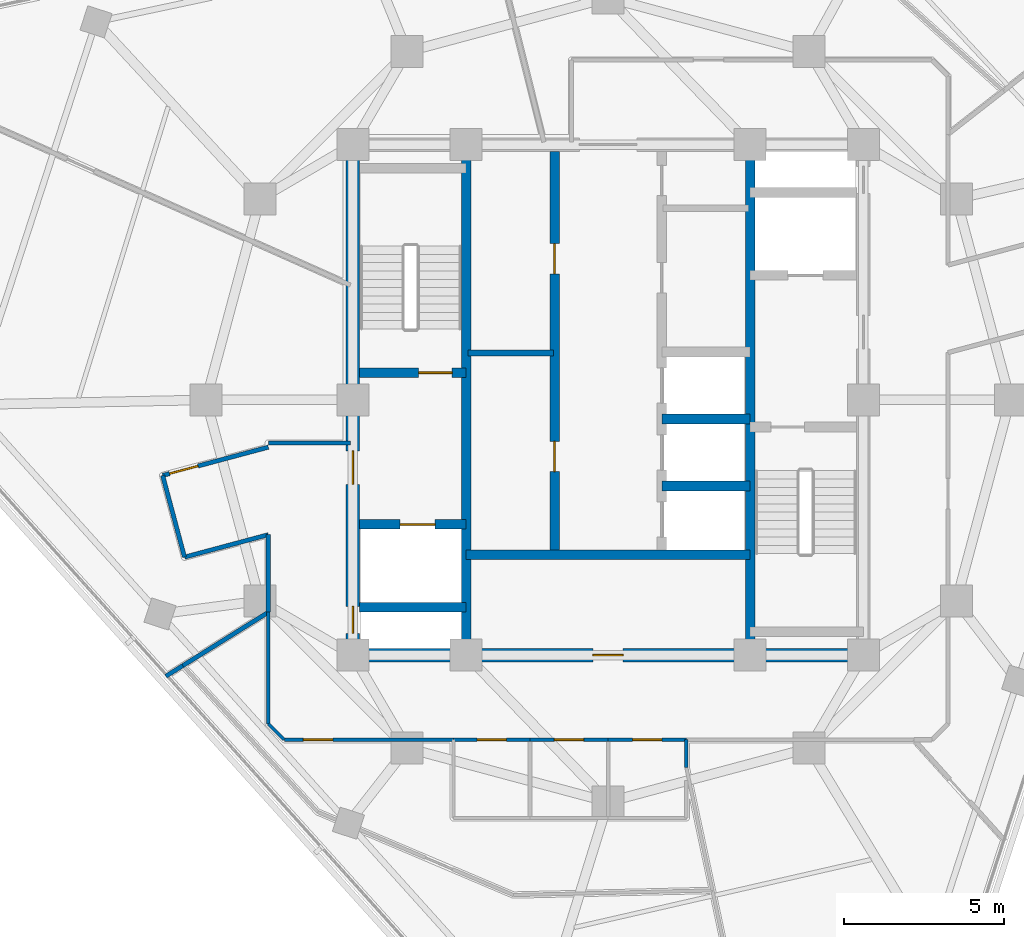
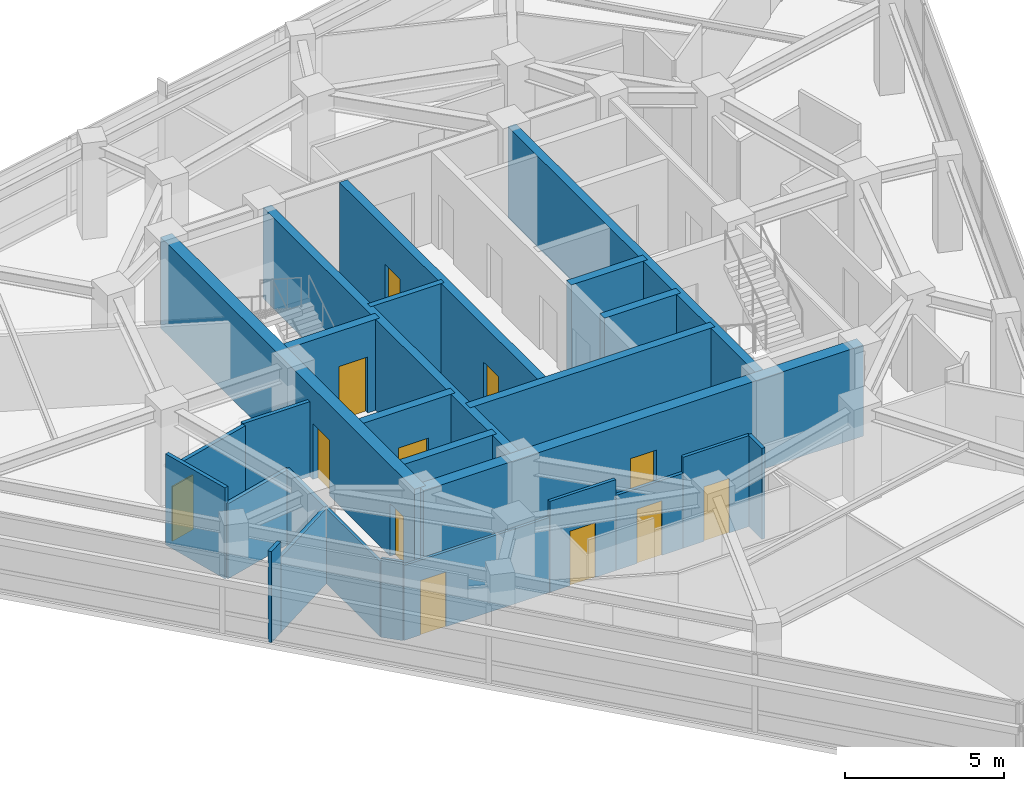
# One storey, part 8 of 15: 26 walls, 12 doors, 12 openings.
"""IFC4 building model written with IfcOpenShell, lengths in metres."""

from ifc_helpers import new_model, si_unit, direction, frame, frame_2d, origin, place, context, subcontext, project, spatial, rectangle, extrude, material, layer, layer_set, type_object, element, fill, save


model = new_model("IFC4")

# Units and contexts
model_context = context("Model", 3, precision=1e-05, world=origin(), true_north=direction((0.0, 1.0)))
body_context = subcontext(model_context, "Body", "Model", "MODEL_VIEW")
ifc_project = project(units=[si_unit("LENGTHUNIT", "METRE"), si_unit("AREAUNIT", "SQUARE_METRE"), si_unit("VOLUMEUNIT", "CUBIC_METRE"), si_unit("PLANEANGLEUNIT", "RADIAN"), si_unit("MASSUNIT", "GRAM", prefix="KILO")], contexts=[model_context])

# Site, building, storey
site_placement = place(None, origin())
site = spatial("IfcSite", under=ifc_project, at=site_placement, CompositionType="ELEMENT")
building_placement = place(site_placement, origin())
building = spatial("IfcBuilding", under=site, at=building_placement, Name="Terralouvre Media Tower", CompositionType="ELEMENT")
storey_placement = place(building_placement, frame((0.0, 0.0, 286.89990234375)))
storey = spatial("IfcBuildingStorey", under=building, at=storey_placement, Name="L74", CompositionType="ELEMENT", Elevation=286.89990234375)

# Walls
ifc_material_1 = material(Name="Concrete C50/60", Category="concrete")
ifc_layer_1 = layer(ifc_material_1, 0.300048828125, Name="Core Internal Shaft Wall CW-300")
ifc_layer_set_1 = layer_set([ifc_layer_1], Name="Concrete C50/60")
wall_type_1 = type_object("IfcWallType", Name="Core Internal Shaft Wall CW-300", PredefinedType="SHEAR", material=ifc_layer_set_1)
for number, where, z_axis, x_axis, name in (
    (1, (-4.449951171875, -7.7900390625, 0.0), (0.0, 0.0, 1.0), (0.0, 1.0, 0.0), "L74 Core Shaft Wall SPW"),
    (2, (4.449951171875, -7.7900390625, 0.0), (0.0, 0.0, 1.0), (0.0, 1.0, 0.0), "L74 Core Shaft Wall SPE"),
):
    element("IfcWall", number, at=place(storey_placement, frame(where, z_axis=z_axis, x_axis=x_axis)), inside=storey, type_object=wall_type_1, Name=name, PredefinedType="SHEAR", context=body_context, shape_type="SweptSolid", body=[
        extrude(rectangle(XDim=15.580078125, YDim=0.300048828125, at=frame_2d((7.7900390625, 0.0))), origin(), (0.0, 0.0, 1.0), 3.5),
    ])

# Wall, opening, door
wall_1_placement = place(storey_placement, frame((-7.7900390625, 0.85009765625, 0.0), z_axis=(0.0, 0.0, 1.0), x_axis=(1.0, 0.0, 0.0)))
wall_1 = element("IfcWall", 3, at=wall_1_placement, inside=storey, type_object=wall_type_1, Name="L74 Core Shaft Wall ST1D", PredefinedType="SHEAR", context=body_context, shape_type="SweptSolid", body=[
    extrude(rectangle(XDim=3.340087890625, YDim=0.300048828125, at=frame_2d((1.669921875, 0.0))), origin(), (0.0, 0.0, 1.0), 3.5),
])
opening_1_placement = place(wall_1_placement, frame((1.85009765625, 0.0, 0.0)))
opening_1 = element("IfcOpeningElement", 4, at=opening_1_placement, cuts=wall_1, Name="Opening FD-01-105X215", PredefinedType="OPENING", context=body_context, shape_type="SweptSolid", body=[
    extrude(rectangle(XDim=1.050048828125, YDim=2.14990234375, at=frame_2d((0.52490234375, 1.074951171875))), frame((0.0, 0.159912109375, 0.0), z_axis=(0.0, -1.0, 0.0), x_axis=(1.0, 0.0, 0.0)), (0.0, 0.0, 1.0), 0.320068359375),
])
ifc_material_2 = material(Name="Galvanised steel fire-resisting leaf", Category="steel")
door_type_1 = type_object("IfcDoorType", Name="Stair and Firefighting Lobby Fire Door FD-01 (1050x2150)", OperationType="NOTDEFINED", PredefinedType="DOOR", material=ifc_material_2)
door_1_placement = place(opening_1_placement, origin())
door_1 = element("IfcDoor", 5, at=door_1_placement, inside=storey, type_object=door_type_1, Name="L74 ST-01 Exit Stair Door", OperationType="SINGLE_SWING_LEFT", OverallHeight=2.14990234375, OverallWidth=1.050048828125, PredefinedType="DOOR", context=body_context, shape_type="SweptSolid", body=[
    extrude(rectangle(XDim=1.050048828125, YDim=2.14990234375, at=frame_2d((0.52490234375, 1.074951171875))), frame((0.0, 0.02490234375, 0.0), z_axis=(0.0, -1.0, 0.0), x_axis=(1.0, 0.0, 0.0)), (0.0, 0.0, 1.0), 0.050048828125),
])
fill(opening_1, door_1)

wall_2_placement = place(storey_placement, frame((-7.7900390625, -3.89990234375, 0.0), z_axis=(0.0, 0.0, 1.0), x_axis=(1.0, 0.0, 0.0)))
wall_2 = element("IfcWall", 6, at=wall_2_placement, inside=storey, type_object=wall_type_1, Name="L74 Core Shaft Wall FF1N", PredefinedType="SHEAR", context=body_context, shape_type="SweptSolid", body=[
    extrude(rectangle(XDim=3.340087890625, YDim=0.300048828125, at=frame_2d((1.669921875, 0.0))), origin(), (0.0, 0.0, 1.0), 3.5),
])
opening_2_placement = place(wall_2_placement, frame((1.27001953125, 0.0, 0.0)))
opening_2 = element("IfcOpeningElement", 7, at=opening_2_placement, cuts=wall_2, Name="Opening LD-FF", PredefinedType="OPENING", context=body_context, shape_type="SweptSolid", body=[
    extrude(rectangle(XDim=1.10009765625, YDim=2.10009765625, at=frame_2d((0.550048828125, 1.050048828125))), frame((0.0, 0.159912109375, 0.0), z_axis=(0.0, -1.0, 0.0), x_axis=(1.0, 0.0, 0.0)), (0.0, 0.0, 1.0), 0.320068359375),
])
ifc_material_3 = material(Name="Stainless steel 316 handrail and balustrade", Category="steel")
door_type_2 = type_object("IfcDoorType", Name="Firefighting Lift Sliding Landing Door LD-FF", OperationType="SLIDING_TO_LEFT", PredefinedType="DOOR", material=ifc_material_3)
door_2_placement = place(opening_2_placement, origin())
door_2 = element("IfcDoor", 8, at=door_2_placement, inside=storey, type_object=door_type_2, Name="L74 Firefighting Lift FFL-01 Landing Door", OperationType="SLIDING_TO_LEFT", OverallHeight=2.10009765625, OverallWidth=1.10009765625, PredefinedType="DOOR", context=body_context, shape_type="SweptSolid", body=[
    extrude(rectangle(XDim=1.10009765625, YDim=2.10009765625, at=frame_2d((0.550048828125, 1.050048828125))), frame((0.0, 0.02490234375, 0.0), z_axis=(0.0, -1.0, 0.0), x_axis=(1.0, 0.0, 0.0)), (0.0, 0.0, 1.0), 0.050048828125),
])
fill(opening_2, door_2)

# Walls
wall_3_placement = place(storey_placement, frame((-7.7900390625, -6.5, 0.0), z_axis=(0.0, 0.0, 1.0), x_axis=(1.0, 0.0, 0.0)))
element("IfcWall", 9, at=wall_3_placement, inside=storey, type_object=wall_type_1, Name="L74 Core Shaft Wall FF1S", PredefinedType="SHEAR", context=body_context, shape_type="SweptSolid", body=[
    extrude(rectangle(XDim=3.340087890625, YDim=0.300048828125, at=frame_2d((1.669921875, 0.0))), origin(), (0.0, 0.0, 1.0), 3.5),
])
wall_4_placement = place(storey_placement, frame((-4.449951171875, -4.85009765625, 0.0), z_axis=(0.0, 0.0, 1.0), x_axis=(1.0, 0.0, 0.0)))
element("IfcWall", 10, at=wall_4_placement, inside=storey, type_object=wall_type_1, Name="L74 Core Shaft Wall CSBN", PredefinedType="SHEAR", context=body_context, shape_type="SweptSolid", body=[
    extrude(rectangle(XDim=8.89990234375, YDim=0.300048828125, at=frame_2d((4.449951171875, 0.0))), origin(), (0.0, 0.0, 1.0), 3.5),
])

# Wall, openings, doors
wall_5_placement = place(storey_placement, frame((-1.679931640625, -4.85009765625, 0.0), z_axis=(0.0, 0.0, 1.0), x_axis=(0.0, 1.0, 0.0)))
wall_5 = element("IfcWall", 11, at=wall_5_placement, inside=storey, type_object=wall_type_1, Name="L74 Core Shaft Wall LBW", PredefinedType="SHEAR", context=body_context, shape_type="SweptSolid", body=[
    extrude(rectangle(XDim=12.64013671875, YDim=0.300048828125, at=frame_2d((6.320068359375, 0.0))), origin(), (0.0, 0.0, 1.0), 3.5),
])
opening_3_placement = place(wall_5_placement, frame((2.60009765625, 0.0, 0.0)))
opening_3 = element("IfcOpeningElement", 12, at=opening_3_placement, cuts=wall_5, Name="Opening FD-02-95X210", PredefinedType="OPENING", context=body_context, shape_type="SweptSolid", body=[
    extrude(rectangle(XDim=0.949951171875, YDim=2.10009765625, at=frame_2d((0.47509765625, 1.050048828125))), frame((0.0, 0.159912109375, 0.0), z_axis=(0.0, -1.0, 0.0), x_axis=(1.0, 0.0, 0.0)), (0.0, 0.0, 1.0), 0.320068359375),
])
opening_4_placement = place(wall_5_placement, frame((8.800048828125, 0.0, 0.0)))
opening_4 = element("IfcOpeningElement", 13, at=opening_4_placement, cuts=wall_5, Name="Opening FD-04-95X210", PredefinedType="OPENING", context=body_context, shape_type="SweptSolid", body=[
    extrude(rectangle(XDim=0.949951171875, YDim=2.10009765625, at=frame_2d((0.47509765625, 1.050048828125))), frame((0.0, 0.159912109375, 0.0), z_axis=(0.0, -1.0, 0.0), x_axis=(1.0, 0.0, 0.0)), (0.0, 0.0, 1.0), 0.320068359375),
])
ifc_material_4 = material(Name="Galvanised steel fire-resisting leaf", Category="steel")
door_type_3 = type_object("IfcDoorType", Name="Core Store and Service Fire Door FD-04 (950x2100)", OperationType="NOTDEFINED", PredefinedType="DOOR", material=ifc_material_4)
door_3_placement = place(opening_4_placement, origin())
door_3 = element("IfcDoor", 14, at=door_3_placement, inside=storey, type_object=door_type_3, Name="L74 Core Linen Store Door", OperationType="SINGLE_SWING_RIGHT", OverallHeight=2.10009765625, OverallWidth=0.949951171875, PredefinedType="DOOR", context=body_context, shape_type="SweptSolid", body=[
    extrude(rectangle(XDim=0.949951171875, YDim=2.10009765625, at=frame_2d((0.47509765625, 1.050048828125))), frame((0.0, 0.02490234375, 0.0), z_axis=(0.0, -1.0, 0.0), x_axis=(1.0, 0.0, 0.0)), (0.0, 0.0, 1.0), 0.050048828125),
])
fill(opening_4, door_3)
ifc_material_5 = material(Name="Galvanised steel fire-resisting leaf", Category="steel")
door_type_4 = type_object("IfcDoorType", Name="Plant and Riser Fire Door FD-02 (950x2100)", OperationType="NOTDEFINED", PredefinedType="DOOR", material=ifc_material_5)
door_4_placement = place(opening_3_placement, origin())
door_4 = element("IfcDoor", 15, at=door_4_placement, inside=storey, type_object=door_type_4, Name="L74 Core Fibre Patch Plant Door", OperationType="SINGLE_SWING_LEFT", OverallHeight=2.10009765625, OverallWidth=0.949951171875, PredefinedType="DOOR", context=body_context, shape_type="SweptSolid", body=[
    extrude(rectangle(XDim=0.949951171875, YDim=2.10009765625, at=frame_2d((0.47509765625, 1.050048828125))), frame((0.0, 0.02490234375, 0.0), z_axis=(0.0, -1.0, 0.0), x_axis=(1.0, 0.0, 0.0)), (0.0, 0.0, 1.0), 0.050048828125),
])
fill(opening_3, door_4)

# Walls
for number, where, z_axis, x_axis, name in (
    (16, (1.679931640625, -2.699951171875, 0.0), (0.0, 0.0, 1.0), (1.0, 0.0, 0.0), "L74 Core Shaft Wall PLHD1"),
    (17, (1.679931640625, -0.60009765625, 0.0), (0.0, 0.0, 1.0), (1.0, 0.0, 0.0), "L74 Core Shaft Wall PLHD2"),
):
    element("IfcWall", number, at=place(storey_placement, frame(where, z_axis=z_axis, x_axis=x_axis)), inside=storey, type_object=wall_type_1, Name=name, PredefinedType="SHEAR", context=body_context, shape_type="SweptSolid", body=[
        extrude(rectangle(XDim=2.77001953125, YDim=0.300048828125, at=frame_2d((1.385009765625, 0.0))), origin(), (0.0, 0.0, 1.0), 3.5),
    ])

# Wall, openings, doors
ifc_material_6 = material(Name="Concrete C60/75", Category="concrete")
ifc_layer_2 = layer(ifc_material_6, 0.419921875, Name="Core Reinforced Concrete Shear Wall CW-420")
ifc_layer_set_2 = layer_set([ifc_layer_2], Name="Concrete C60/75")
wall_type_2 = type_object("IfcWallType", Name="Core Reinforced Concrete Shear Wall CW-420", PredefinedType="SHEAR", material=ifc_layer_set_2)
wall_6_placement = place(storey_placement, frame((-8.0, -8.0, 0.0), z_axis=(0.0, 0.0, 1.0), x_axis=(0.0, 1.0, 0.0)))
wall_6 = element("IfcWall", 18, at=wall_6_placement, inside=storey, type_object=wall_type_2, Name="L74 W Core Shear Wall", PredefinedType="SHEAR", context=body_context, shape_type="SweptSolid", body=[
    extrude(rectangle(XDim=16.0, YDim=0.419921875, at=frame_2d((8.0, 0.0))), origin(), (0.0, 0.0, 1.0), 3.5),
])
opening_5_placement = place(wall_6_placement, frame((0.68115234375, 0.0, 0.0)))
opening_5 = element("IfcOpeningElement", 19, at=opening_5_placement, cuts=wall_6, Name="Opening TD-R1", PredefinedType="OPENING", context=body_context, shape_type="SweptSolid", body=[
    extrude(rectangle(XDim=0.85009765625, YDim=2.02001953125, at=frame_2d((0.425048828125, 1.010009765625))), frame((0.0, 0.219970703125, 0.0), z_axis=(0.0, -1.0, 0.0), x_axis=(1.0, 0.0, 0.0)), (0.0, 0.0, 1.0), 0.43994140625),
])
opening_6_placement = place(wall_6_placement, frame((5.35009765625, 0.0, 0.0)))
opening_6 = element("IfcOpeningElement", 20, at=opening_6_placement, cuts=wall_6, Name="Opening FD-01-105X215", PredefinedType="OPENING", context=body_context, shape_type="SweptSolid", body=[
    extrude(rectangle(XDim=1.050048828125, YDim=2.14990234375, at=frame_2d((0.52490234375, 1.074951171875))), frame((0.0, 0.219970703125, 0.0), z_axis=(0.0, -1.0, 0.0), x_axis=(1.0, 0.0, 0.0)), (0.0, 0.0, 1.0), 0.43994140625),
])
ifc_material_7 = material(Name="Galvanised steel fire-resisting leaf", Category="steel")
door_type_5 = type_object("IfcDoorType", Name="Riser Inspection Access Trapdoor TD-R1", OperationType="NOTDEFINED", PredefinedType="TRAPDOOR", material=ifc_material_7)
door_5_placement = place(opening_5_placement, origin())
door_5 = element("IfcDoor", 21, at=door_5_placement, inside=storey, type_object=door_type_5, Name="L74 Wet Riser Access Trapdoor", OperationType="SINGLE_SWING_LEFT", OverallHeight=2.02001953125, OverallWidth=0.85009765625, PredefinedType="TRAPDOOR", context=body_context, shape_type="SweptSolid", body=[
    extrude(rectangle(XDim=0.85009765625, YDim=2.02001953125, at=frame_2d((0.425048828125, 1.010009765625))), frame((0.0, 0.02490234375, 0.0), z_axis=(0.0, -1.0, 0.0), x_axis=(1.0, 0.0, 0.0)), (0.0, 0.0, 1.0), 0.050048828125),
])
fill(opening_5, door_5)
door_6_placement = place(opening_6_placement, origin())
door_6 = element("IfcDoor", 22, at=door_6_placement, inside=storey, type_object=door_type_1, Name="L74 West Firefighting Lobby Entry Door", OperationType="SINGLE_SWING_RIGHT", OverallHeight=2.14990234375, OverallWidth=1.050048828125, PredefinedType="DOOR", context=body_context, shape_type="SweptSolid", body=[
    extrude(rectangle(XDim=1.050048828125, YDim=2.14990234375, at=frame_2d((0.52490234375, 1.074951171875))), frame((0.0, 0.02490234375, 0.0), z_axis=(0.0, -1.0, 0.0), x_axis=(1.0, 0.0, 0.0)), (0.0, 0.0, 1.0), 0.050048828125),
])
fill(opening_6, door_6)

# Wall, opening, door
wall_7_placement = place(storey_placement, frame((-8.0, -8.0, 0.0), z_axis=(0.0, 0.0, 1.0), x_axis=(1.0, 0.0, 0.0)))
wall_7 = element("IfcWall", 23, at=wall_7_placement, inside=storey, type_object=wall_type_2, Name="L74 S Core Shear Wall", PredefinedType="SHEAR", context=body_context, shape_type="SweptSolid", body=[
    extrude(rectangle(XDim=16.0, YDim=0.419921875, at=frame_2d((8.0, 0.0))), origin(), (0.0, 0.0, 1.0), 3.5),
])
opening_7_placement = place(wall_7_placement, frame((7.52001953125, 0.0, 0.0)))
opening_7 = element("IfcOpeningElement", 24, at=opening_7_placement, cuts=wall_7, Name="Opening FD-02-95X210", PredefinedType="OPENING", context=body_context, shape_type="SweptSolid", body=[
    extrude(rectangle(XDim=0.949951171875, YDim=2.10009765625, at=frame_2d((0.47509765625, 1.050048828125))), frame((0.0, 0.219970703125, 0.0), z_axis=(0.0, -1.0, 0.0), x_axis=(1.0, 0.0, 0.0)), (0.0, 0.0, 1.0), 0.43994140625),
])
door_7_placement = place(opening_7_placement, origin())
door_7 = element("IfcDoor", 25, at=door_7_placement, inside=storey, type_object=door_type_4, Name="L74 Core Switchgear Plant Door", OperationType="SINGLE_SWING_LEFT", OverallHeight=2.10009765625, OverallWidth=0.949951171875, PredefinedType="DOOR", context=body_context, shape_type="SweptSolid", body=[
    extrude(rectangle(XDim=0.949951171875, YDim=2.10009765625, at=frame_2d((0.47509765625, 1.050048828125))), frame((0.0, 0.02490234375, 0.0), z_axis=(0.0, -1.0, 0.0), x_axis=(1.0, 0.0, 0.0)), (0.0, 0.0, 1.0), 0.050048828125),
])
fill(opening_7, door_7)

# Walls
ifc_material_8 = material(Name="Low-iron laminated double glazing with solar-control coating", Category="glass")
ifc_layer_3 = layer(ifc_material_8, 0.10009765625, Name="Demountable Glazed Office Partition PT-GL100")
ifc_layer_set_3 = layer_set([ifc_layer_3], Name="Low-iron laminated double glazing with solar-control coating")
wall_type_3 = type_object("IfcWallType", Name="Demountable Glazed Office Partition PT-GL100", PredefinedType="MOVABLE", material=ifc_layer_set_3)
wall_8_placement = place(storey_placement, frame((-10.64990234375, -6.655029296875, 0.0), z_axis=(0.0, 0.0, 1.0), x_axis=(0.0, -1.0, 0.0)))
element("IfcWall", 26, at=wall_8_placement, inside=storey, type_object=wall_type_3, Name="L74 Interior Partition 013", PredefinedType="MOVABLE", context=body_context, shape_type="SweptSolid", body=[
    extrude(rectangle(XDim=3.494873046875, YDim=0.10009765625, at=frame_2d((1.74755859375, 0.0))), origin(), (0.0, 0.0, 1.0), 2.885009765625),
])
wall_9_placement = place(storey_placement, frame((-10.64990234375, -10.14990234375, 0.0), z_axis=(0.0, 0.0, 1.0), x_axis=(0.707106781187, -0.707106781187, 0.0)))
element("IfcWall", 27, at=wall_9_placement, inside=storey, type_object=wall_type_3, Name="L74 Interior Partition 014", PredefinedType="MOVABLE", context=body_context, shape_type="SweptSolid", body=[
    extrude(rectangle(XDim=0.70703125, YDim=0.10009765625, at=frame_2d((0.353515625, 0.0))), origin(), (0.0, 0.0, 1.0), 3.03515625),
])

# Wall, opening, door
wall_10_placement = place(storey_placement, frame((-10.14990234375, -10.64990234375, 0.0), z_axis=(0.0, 0.0, 1.0), x_axis=(1.0, 0.0, 0.0)))
wall_10 = element("IfcWall", 28, at=wall_10_placement, inside=storey, type_object=wall_type_3, Name="L74 Interior Partition 015", PredefinedType="MOVABLE", context=body_context, shape_type="SweptSolid", body=[
    extrude(rectangle(XDim=5.2998046875, YDim=0.10009765625, at=frame_2d((2.64990234375, 0.0))), origin(), (0.0, 0.0, 1.0), 2.885009765625),
])
opening_8_placement = place(wall_10_placement, frame((0.60009765625, 0.0, 0.0)))
opening_8 = element("IfcOpeningElement", 29, at=opening_8_placement, cuts=wall_10, Name="Opening ID-03-92X210", PredefinedType="OPENING", context=body_context, shape_type="SweptSolid", body=[
    extrude(rectangle(XDim=0.919921875, YDim=2.10009765625, at=frame_2d((0.4599609375, 1.050048828125))), frame((0.0, 0.06005859375, 0.0), z_axis=(0.0, -1.0, 0.0), x_axis=(1.0, 0.0, 0.0)), (0.0, 0.0, 1.0), 0.1201171875),
])
ifc_material_9 = material(Name="Engineered hardwood acoustic timber leaf", Category="wood")
door_type_6 = type_object("IfcDoorType", Name="Accessible Restroom and Suite Door ID-03 (920x2100)", OperationType="NOTDEFINED", PredefinedType="DOOR", material=ifc_material_9)
door_8_placement = place(opening_8_placement, origin())
door_8 = element("IfcDoor", 30, at=door_8_placement, inside=storey, type_object=door_type_6, Name="L74 Journalism Training Classroom 3 Door", OperationType="SINGLE_SWING_RIGHT", OverallHeight=2.10009765625, OverallWidth=0.919921875, PredefinedType="DOOR", context=body_context, shape_type="SweptSolid", body=[
    extrude(rectangle(XDim=0.919921875, YDim=2.10009765625, at=frame_2d((0.4599609375, 1.050048828125))), frame((0.0, 0.02490234375, 0.0), z_axis=(0.0, -1.0, 0.0), x_axis=(1.0, 0.0, 0.0)), (0.0, 0.0, 1.0), 0.050048828125),
])
fill(opening_8, door_8)

# Walls
ifc_material_10 = material(Name="Fire-rated gypsum board drywall partition")
ifc_layer_4 = layer(ifc_material_10, 0.199951171875, Name="Fire-Rated Shaft and Lobby Partition FW-200")
ifc_layer_set_4 = layer_set([ifc_layer_4], Name="Fire-rated gypsum board drywall partition")
wall_type_4 = type_object("IfcWallType", Name="Fire-Rated Shaft and Lobby Partition FW-200", PredefinedType="SOLIDWALL", material=ifc_layer_set_4)
wall_11_placement = place(storey_placement, frame((-4.39990234375, 1.469970703125, 0.0), z_axis=(0.0, 0.0, 1.0), x_axis=(1.0, 0.0, 0.0)))
element("IfcWall", 31, at=wall_11_placement, inside=storey, type_object=wall_type_4, Name="L74 Core West Sub-Partition 1", PredefinedType="SOLIDWALL", context=body_context, shape_type="SweptSolid", body=[
    extrude(rectangle(XDim=2.679931640625, YDim=0.199951171875, at=frame_2d((1.33984375, 0.0))), origin(), (0.0, 0.0, 1.0), 3.5),
])
ifc_material_11 = material(Name="Fire-rated gypsum board drywall partition")
ifc_layer_5 = layer(ifc_material_11, 0.135009765625, Name="Newsroom Acoustic Partition PT-135")
ifc_layer_set_5 = layer_set([ifc_layer_5], Name="Fire-rated gypsum board drywall partition")
wall_type_5 = type_object("IfcWallType", Name="Newsroom Acoustic Partition PT-135", PredefinedType="PARTITIONING", material=ifc_layer_set_5)
wall_12_placement = place(storey_placement, frame((-8.080078125, -1.35009765625, 0.0), z_axis=(0.0, 0.0, 1.0), x_axis=(-1.0, 0.0, 0.0)))
element("IfcWall", 32, at=wall_12_placement, inside=storey, type_object=wall_type_5, Name="L74 Interior Partition 001", PredefinedType="PARTITIONING", context=body_context, shape_type="SweptSolid", body=[
    extrude(rectangle(XDim=2.56982421875, YDim=0.135009765625, at=frame_2d((1.284912109375, 0.0))), origin(), (0.0, 0.0, 1.0), 2.885009765625),
])

# Wall, opening, door
wall_13_placement = place(storey_placement, frame((-10.64990234375, -1.48193359375, 0.0), z_axis=(0.0, 0.0, 1.0), x_axis=(-0.965961397105, -0.2586862565, 0.0)))
wall_13 = element("IfcWall", 33, at=wall_13_placement, inside=storey, type_object=wall_type_5, Name="L74 Interior Partition 002", PredefinedType="PARTITIONING", context=body_context, shape_type="SweptSolid", body=[
    extrude(rectangle(XDim=3.4287109375, YDim=0.135009765625, at=frame_2d((1.71435546875, 0.0))), origin(), (0.0, 0.0, 1.0), 2.885009765625),
])
opening_9_placement = place(wall_13_placement, frame((2.282958984375, 0.0, 0.0)))
opening_9 = element("IfcOpeningElement", 34, at=opening_9_placement, cuts=wall_13, Name="Opening ID-03-92X210", PredefinedType="OPENING", context=body_context, shape_type="SweptSolid", body=[
    extrude(rectangle(XDim=0.919921875, YDim=2.10009765625, at=frame_2d((0.4599609375, 1.050048828125))), frame((0.0, 0.077392578125, 0.0), z_axis=(0.0, -1.0, 0.0), x_axis=(1.0, 0.0, 0.0)), (0.0, 0.0, 1.0), 0.155029296875),
])
door_9_placement = place(opening_9_placement, origin())
door_9 = element("IfcDoor", 35, at=door_9_placement, inside=storey, type_object=door_type_6, Name="L74 Admissions Reception 1 Door", OperationType="SINGLE_SWING_RIGHT", OverallHeight=2.10009765625, OverallWidth=0.919921875, PredefinedType="DOOR", context=body_context, shape_type="SweptSolid", body=[
    extrude(rectangle(XDim=0.919921875, YDim=2.10009765625, at=frame_2d((0.4599609375, 1.050048828125))), frame((0.0, 0.02490234375, 0.0), z_axis=(0.0, -1.0, 0.0), x_axis=(1.0, 0.0, 0.0)), (0.0, 0.0, 1.0), 0.050048828125),
])
fill(opening_9, door_9)

# Walls
wall_14_placement = place(storey_placement, frame((-13.9619140625, -2.368896484375, 0.0), z_axis=(0.0, 0.0, 1.0), x_axis=(0.258413725385, -0.966034340245, 0.0)))
element("IfcWall", 36, at=wall_14_placement, inside=storey, type_object=wall_type_5, Name="L74 Interior Partition 003", PredefinedType="PARTITIONING", context=body_context, shape_type="SweptSolid", body=[
    extrude(rectangle(XDim=2.650146484375, YDim=0.135009765625, at=frame_2d((1.3251953125, 0.0))), origin(), (0.0, 0.0, 1.0), 3.5),
])
wall_15_placement = place(storey_placement, frame((-13.277099609375, -4.928955078125, 0.0), z_axis=(0.0, 0.0, 1.0), x_axis=(0.965934830229, 0.258785439601, 0.0)))
element("IfcWall", 37, at=wall_15_placement, inside=storey, type_object=wall_type_5, Name="L74 Interior Partition 004", PredefinedType="PARTITIONING", context=body_context, shape_type="SweptSolid", body=[
    extrude(rectangle(XDim=2.719970703125, YDim=0.135009765625, at=frame_2d((1.35986328125, 0.0))), origin(), (0.0, 0.0, 1.0), 2.885009765625),
])
wall_16_placement = place(storey_placement, frame((-10.64990234375, -4.22509765625, 0.0), z_axis=(0.0, 0.0, 1.0), x_axis=(0.0, -1.0, 0.0)))
element("IfcWall", 38, at=wall_16_placement, inside=storey, type_object=wall_type_5, Name="L74 Interior Partition 005", PredefinedType="PARTITIONING", context=body_context, shape_type="SweptSolid", body=[
    extrude(rectangle(XDim=2.429931640625, YDim=0.135009765625, at=frame_2d((1.21484375, 0.0))), origin(), (0.0, 0.0, 1.0), 2.885009765625),
])
wall_17_placement = place(storey_placement, frame((-13.3291015625, -8.3291015625, 0.0), z_axis=(0.0, 0.0, 1.0), x_axis=(0.848059079617, 0.529901686617, 0.0)))
element("IfcWall", 39, at=wall_17_placement, inside=storey, type_object=wall_type_5, Name="L74 Interior Partition 024", PredefinedType="PARTITIONING", context=body_context, shape_type="SweptSolid", body=[
    extrude(rectangle(XDim=3.1591796875, YDim=0.135009765625, at=frame_2d((1.57958984375, 0.0))), origin(), (0.0, 0.0, 1.0), 2.885009765625),
])
wall_18_placement = place(storey_placement, frame((-13.861083984375, -8.661376953125, 0.0), z_axis=(0.0, 0.0, 1.0), x_axis=(0.848151340075, 0.529754003599, 0.0)))
element("IfcWall", 40, at=wall_18_placement, inside=storey, type_object=wall_type_5, Name="L74 Interior Partition 025", PredefinedType="PARTITIONING", context=body_context, shape_type="SweptSolid", body=[
    extrude(rectangle(XDim=0.627197265625, YDim=0.135009765625, at=frame_2d((0.3134765625, 0.0))), origin(), (0.0, 0.0, 1.0), 3.5),
])

# Wall, opening, door
ifc_material_12 = material(Name="Fire-rated gypsum board drywall partition")
ifc_layer_6 = layer(ifc_material_12, 0.114990234375, Name="Restroom and Pantry Partition PT-115")
ifc_layer_set_6 = layer_set([ifc_layer_6], Name="Fire-rated gypsum board drywall partition")
wall_type_6 = type_object("IfcWallType", Name="Restroom and Pantry Partition PT-115", PredefinedType="PARTITIONING", material=ifc_layer_set_6)
wall_19_placement = place(storey_placement, frame((-4.85009765625, -10.64990234375, 0.0), z_axis=(0.0, 0.0, 1.0), x_axis=(1.0, 0.0, 0.0)))
wall_19 = element("IfcWall", 41, at=wall_19_placement, inside=storey, type_object=wall_type_6, Name="L74 Interior Partition 016", PredefinedType="PARTITIONING", context=body_context, shape_type="SweptSolid", body=[
    extrude(rectangle(XDim=2.400146484375, YDim=0.114990234375, at=frame_2d((1.2001953125, 0.0))), origin(), (0.0, 0.0, 1.0), 3.5),
])
opening_10_placement = place(wall_19_placement, frame((0.739990234375, 0.0, 0.0)))
opening_10 = element("IfcOpeningElement", 42, at=opening_10_placement, cuts=wall_19, Name="Opening ID-03-92X210", PredefinedType="OPENING", context=body_context, shape_type="SweptSolid", body=[
    extrude(rectangle(XDim=0.919921875, YDim=2.10009765625, at=frame_2d((0.4599609375, 1.050048828125))), frame((0.0, 0.0673828125, 0.0), z_axis=(0.0, -1.0, 0.0), x_axis=(1.0, 0.0, 0.0)), (0.0, 0.0, 1.0), 0.135009765625),
])
door_10_placement = place(opening_10_placement, origin())
door_10 = element("IfcDoor", 43, at=door_10_placement, inside=storey, type_object=door_type_6, Name="L74 Male Restroom WC Door", OperationType="SINGLE_SWING_LEFT", OverallHeight=2.10009765625, OverallWidth=0.919921875, PredefinedType="DOOR", context=body_context, shape_type="SweptSolid", body=[
    extrude(rectangle(XDim=0.919921875, YDim=2.10009765625, at=frame_2d((0.4599609375, 1.050048828125))), frame((0.0, 0.02490234375, 0.0), z_axis=(0.0, -1.0, 0.0), x_axis=(1.0, 0.0, 0.0)), (0.0, 0.0, 1.0), 0.050048828125),
])
fill(opening_10, door_10)

wall_20_placement = place(storey_placement, frame((-2.449951171875, -10.64990234375, 0.0), z_axis=(0.0, 0.0, 1.0), x_axis=(1.0, 0.0, 0.0)))
wall_20 = element("IfcWall", 44, at=wall_20_placement, inside=storey, type_object=wall_type_6, Name="L74 Interior Partition 017", PredefinedType="PARTITIONING", context=body_context, shape_type="SweptSolid", body=[
    extrude(rectangle(XDim=2.449951171875, YDim=0.114990234375, at=frame_2d((1.22509765625, 0.0))), origin(), (0.0, 0.0, 1.0), 2.885009765625),
])
opening_11_placement = place(wall_20_placement, frame((0.764892578125, 0.0, 0.0)))
opening_11 = element("IfcOpeningElement", 45, at=opening_11_placement, cuts=wall_20, Name="Opening ID-03-92X210", PredefinedType="OPENING", context=body_context, shape_type="SweptSolid", body=[
    extrude(rectangle(XDim=0.919921875, YDim=2.10009765625, at=frame_2d((0.4599609375, 1.050048828125))), frame((0.0, 0.0673828125, 0.0), z_axis=(0.0, -1.0, 0.0), x_axis=(1.0, 0.0, 0.0)), (0.0, 0.0, 1.0), 0.135009765625),
])
door_11_placement = place(opening_11_placement, origin())
door_11 = element("IfcDoor", 46, at=door_11_placement, inside=storey, type_object=door_type_6, Name="L74 Female Restroom WC Door", OperationType="SINGLE_SWING_RIGHT", OverallHeight=2.10009765625, OverallWidth=0.919921875, PredefinedType="DOOR", context=body_context, shape_type="SweptSolid", body=[
    extrude(rectangle(XDim=0.919921875, YDim=2.10009765625, at=frame_2d((0.4599609375, 1.050048828125))), frame((0.0, 0.02490234375, 0.0), z_axis=(0.0, -1.0, 0.0), x_axis=(1.0, 0.0, 0.0)), (0.0, 0.0, 1.0), 0.050048828125),
])
fill(opening_11, door_11)

wall_21_placement = place(storey_placement, frame((0.0, -10.64990234375, 0.0), z_axis=(0.0, 0.0, 1.0), x_axis=(1.0, 0.0, 0.0)))
wall_21 = element("IfcWall", 47, at=wall_21_placement, inside=storey, type_object=wall_type_6, Name="L74 Interior Partition 018", PredefinedType="PARTITIONING", context=body_context, shape_type="SweptSolid", body=[
    extrude(rectangle(XDim=2.449951171875, YDim=0.114990234375, at=frame_2d((1.22509765625, 0.0))), origin(), (0.0, 0.0, 1.0), 3.5),
])
opening_12_placement = place(wall_21_placement, frame((0.764892578125, 0.0, 0.0)))
opening_12 = element("IfcOpeningElement", 48, at=opening_12_placement, cuts=wall_21, Name="Opening ID-03-92X210", PredefinedType="OPENING", context=body_context, shape_type="SweptSolid", body=[
    extrude(rectangle(XDim=0.919921875, YDim=2.10009765625, at=frame_2d((0.4599609375, 1.050048828125))), frame((0.0, 0.0673828125, 0.0), z_axis=(0.0, -1.0, 0.0), x_axis=(1.0, 0.0, 0.0)), (0.0, 0.0, 1.0), 0.135009765625),
])
door_12_placement = place(opening_12_placement, origin())
door_12 = element("IfcDoor", 49, at=door_12_placement, inside=storey, type_object=door_type_6, Name="L74 Accessible Unisex WC Door", OperationType="SINGLE_SWING_LEFT", OverallHeight=2.10009765625, OverallWidth=0.919921875, PredefinedType="DOOR", context=body_context, shape_type="SweptSolid", body=[
    extrude(rectangle(XDim=0.919921875, YDim=2.10009765625, at=frame_2d((0.4599609375, 1.050048828125))), frame((0.0, 0.02490234375, 0.0), z_axis=(0.0, -1.0, 0.0), x_axis=(1.0, 0.0, 0.0)), (0.0, 0.0, 1.0), 0.050048828125),
])
fill(opening_12, door_12)

# Wall
wall_22_placement = place(storey_placement, frame((2.449951171875, -11.52587890625, 0.0), z_axis=(0.0, 0.0, 1.0), x_axis=(0.0, 1.0, 0.0)))
element("IfcWall", 50, at=wall_22_placement, inside=storey, type_object=wall_type_6, Name="L74 Interior Partition 042", PredefinedType="PARTITIONING", context=body_context, shape_type="SweptSolid", body=[
    extrude(rectangle(XDim=0.8759765625, YDim=0.114990234375, at=frame_2d((0.43798828125, 0.0))), origin(), (0.0, 0.0, 1.0), 3.5),
])

save(model, "model.ifc")
